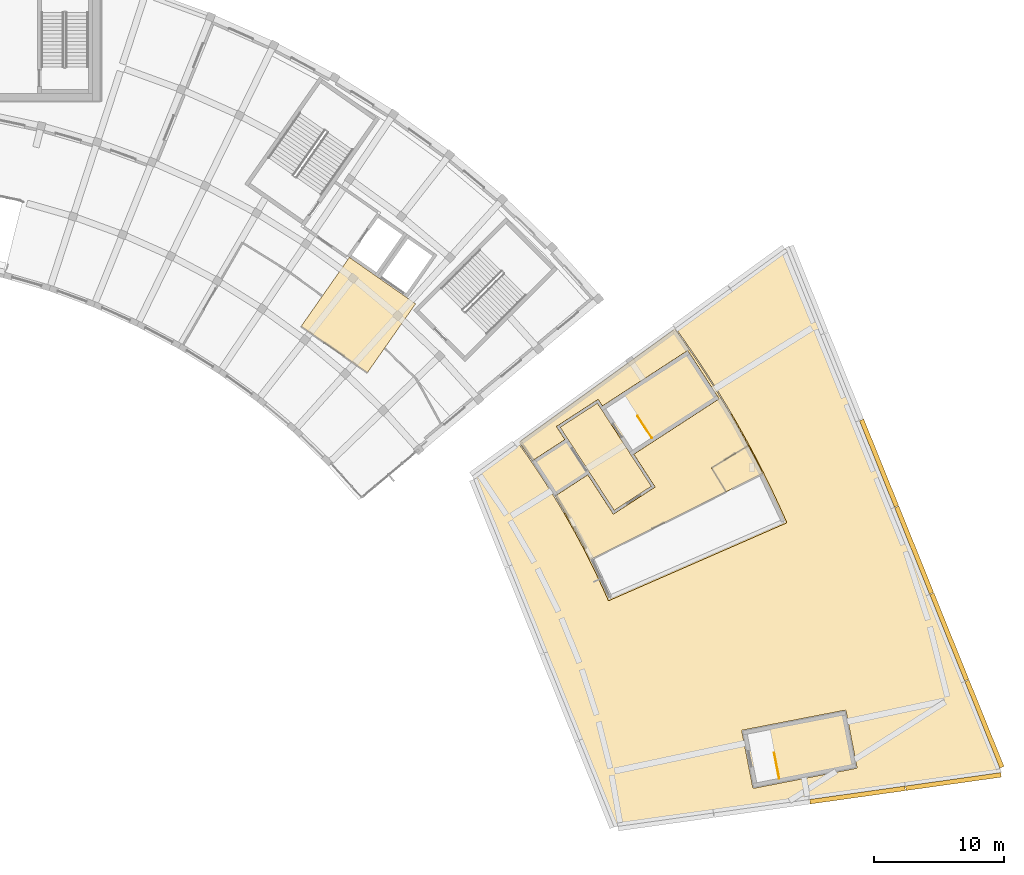
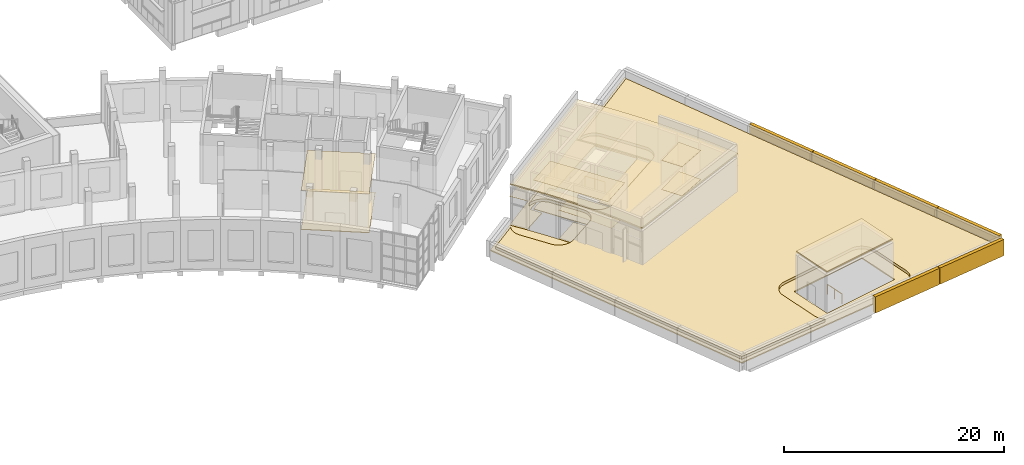
# One storey, part 126 of 132: 18 coverings, 2 railings.
"""IFC4 building model written with IfcOpenShell, lengths in metres."""

from ifc_helpers import new_model, si_unit, direction, frame, origin, origin_2d, place, context, subcontext, project, spatial, polyline, rectangle, circle, outline, extrude, material, layer, layer_set, type_object, element, save


model = new_model("IFC4")

# Units and contexts
model_context = context("Model", 3, precision=1e-05, world=origin(), true_north=direction((0.0, 1.0)))
body_context = subcontext(model_context, "Body", "Model", "MODEL_VIEW")
ifc_project = project(units=[si_unit("LENGTHUNIT", "METRE"), si_unit("AREAUNIT", "SQUARE_METRE"), si_unit("VOLUMEUNIT", "CUBIC_METRE"), si_unit("PLANEANGLEUNIT", "RADIAN"), si_unit("MASSUNIT", "GRAM", prefix="KILO")], contexts=[model_context])

# Site, building, storey
site_placement = place(None, origin())
site = spatial("IfcSite", under=ifc_project, at=site_placement, CompositionType="ELEMENT")
building_placement = place(site_placement, origin())
building = spatial("IfcBuilding", under=site, at=building_placement, Name="Lunette Opera House", CompositionType="ELEMENT")
storey_placement = place(building_placement, frame((0.0, 0.0, 17.0)))
storey = spatial("IfcBuildingStorey", under=building, at=storey_placement, Name="L03", CompositionType="ELEMENT", Elevation=17.0)

# Coverings
ifc_material_1 = material(Name="Bitumen membrane on mineral wool")
ifc_layer_1 = layer(ifc_material_1, 0.1201171875)
ifc_layer_set_1 = layer_set([ifc_layer_1], Name="Bitumen membrane on mineral wool")
covering_type_1 = type_object("IfcCoveringType", Name="FLAT ROOF MEMBRANE 120", PredefinedType="ROOFING", material=ifc_layer_set_1)
covering_1_placement = place(storey_placement, origin())
element("IfcCovering", 1, at=covering_1_placement, inside=storey, type_object=covering_type_1, Name="Flat roof membrane SB L02 11", PredefinedType="ROOFING", context=body_context, shape_type="SweptSolid", body=[
    extrude(outline(polyline([(148.072998046875, 37.77099609375), (148.718017578125, 36.867919921875), (149.3740234375, 35.910888671875), (150.012939453125, 34.94189453125), (150.635009765625, 33.962890625), (151.238037109375, 32.971923828125), (151.822998046875, 31.969970703125), (152.39111328125, 30.9580078125), (152.93994140625, 29.93603515625), (153.469970703125, 28.905029296875), (153.98291015625, 27.864013671875), (154.47509765625, 26.81396484375), (154.949951171875, 25.7529296875), (154.950927734375, 25.7509765625), (154.951904296875, 25.7490234375), (154.9541015625, 25.7451171875), (154.9560546875, 25.743896484375), (154.9580078125, 25.739990234375), (154.9599609375, 25.738037109375), (154.962890625, 25.73388671875), (154.964111328125, 25.73291015625), (154.968017578125, 25.72998046875), (154.968994140625, 25.72802734375), (154.972900390625, 25.72509765625), (154.97509765625, 25.72412109375), (154.97900390625, 25.721923828125), (154.97998046875, 25.720947265625), (154.985107421875, 25.718017578125), (154.987060546875, 25.718017578125), (154.990966796875, 25.716064453125), (154.992919921875, 25.715087890625), (154.998046875, 25.714111328125), (155.0, 25.714111328125), (155.00390625, 25.712890625), (155.006103515625, 25.7119140625), (155.010986328125, 25.7119140625), (155.012939453125, 25.7119140625), (155.01806640625, 25.7119140625), (155.02001953125, 25.7119140625), (155.02490234375, 25.712890625), (155.027099609375, 25.712890625), (155.031005859375, 25.714111328125), (155.032958984375, 25.715087890625), (155.0380859375, 25.716064453125), (155.0400390625, 25.717041015625), (155.0419921875, 25.718017578125), (168.60400390625, 31.64404296875), (168.60595703125, 31.64501953125), (168.60791015625, 31.64599609375), (168.612060546875, 31.64794921875), (168.614013671875, 31.64892578125), (168.617919921875, 31.652099609375), (168.6201171875, 31.653076171875), (168.623046875, 31.656005859375), (168.625, 31.657958984375), (168.6279296875, 31.660888671875), (168.6298828125, 31.6630859375), (168.633056640625, 31.6669921875), (168.634033203125, 31.66796875), (168.635986328125, 31.673095703125), (168.636962890625, 31.674072265625), (168.639892578125, 31.678955078125), (168.639892578125, 31.679931640625), (168.64208984375, 31.68505859375), (168.64306640625, 31.68701171875), (168.64404296875, 31.69189453125), (168.64404296875, 31.694091796875), (168.64501953125, 31.698974609375), (168.64599609375, 31.699951171875), (168.64599609375, 31.705078125), (168.64599609375, 31.70703125), (168.64599609375, 31.7119140625), (168.64599609375, 31.714111328125), (168.64501953125, 31.718994140625), (168.64501953125, 31.720947265625), (168.64404296875, 31.72607421875), (168.64306640625, 31.72802734375), (168.64208984375, 31.73291015625), (168.64111328125, 31.73388671875), (168.639892578125, 31.737060546875), (168.055908203125, 33.0400390625), (168.055908203125, 33.0400390625), (168.055908203125, 33.0400390625), (168.054931640625, 33.041015625), (167.447998046875, 34.333984375), (167.447998046875, 34.333984375), (167.447998046875, 34.333984375), (167.447998046875, 34.3349609375), (166.818115234375, 35.616943359375), (166.818115234375, 35.616943359375), (166.81689453125, 35.617919921875), (166.81689453125, 35.617919921875), (166.1640625, 36.887939453125), (166.1640625, 36.887939453125), (166.1640625, 36.888916015625), (166.1640625, 36.888916015625), (165.488037109375, 38.14794921875), (165.487060546875, 38.14892578125), (165.487060546875, 38.14892578125), (165.487060546875, 38.14892578125), (164.7880859375, 39.39404296875), (164.7880859375, 39.39501953125), (164.7880859375, 39.39501953125), (164.787109375, 39.39501953125), (164.06591796875, 40.6279296875), (164.06591796875, 40.62890625), (164.06591796875, 40.62890625), (164.06591796875, 40.62890625), (163.322998046875, 41.84912109375), (163.322998046875, 41.85009765625), (163.322021484375, 41.85009765625), (163.322021484375, 41.85009765625), (162.556884765625, 43.055908203125), (162.556884765625, 43.056884765625), (162.556884765625, 43.056884765625), (162.555908203125, 43.05810546875), (161.76904296875, 44.2509765625), (161.76904296875, 44.2509765625), (161.76904296875, 44.2509765625), (161.76904296875, 44.251953125), (160.9609375, 45.429931640625), (160.9599609375, 45.429931640625), (160.9599609375, 45.429931640625), (160.9599609375, 45.430908203125), (160.159912109375, 46.552978515625), (168.7900390625, 52.822998046875), (185.053955078125, 12.56689453125), (155.447998046875, 8.405029296875), (144.60205078125, 35.25), (148.072998046875, 37.77099609375)]), holes=[polyline([(173.197998046875, 17.24609375), (173.197021484375, 17.2490234375), (173.197021484375, 17.2509765625), (173.195068359375, 17.2548828125), (173.195068359375, 17.257080078125), (173.193115234375, 17.261962890625), (173.19189453125, 17.263916015625), (173.18994140625, 17.26806640625), (173.18896484375, 17.27001953125), (173.18603515625, 17.27392578125), (173.18505859375, 17.27490234375), (173.181884765625, 17.279052734375), (173.179931640625, 17.280029296875), (173.177001953125, 17.283935546875), (173.175048828125, 17.284912109375), (173.172119140625, 17.2880859375), (173.169921875, 17.2900390625), (173.166015625, 17.2919921875), (173.1640625, 17.29296875), (173.159912109375, 17.2958984375), (173.157958984375, 17.297119140625), (173.154052734375, 17.298095703125), (173.152099609375, 17.299072265625), (173.14697265625, 17.301025390625), (173.14501953125, 17.301025390625), (173.14111328125, 17.302001953125), (173.138916015625, 17.302001953125), (173.134033203125, 17.302978515625), (173.132080078125, 17.302978515625), (173.126953125, 17.302978515625), (173.125, 17.302978515625), (173.1201171875, 17.302001953125), (173.117919921875, 17.302001953125), (173.115966796875, 17.302001953125), (165.262939453125, 15.77587890625), (165.260009765625, 15.77490234375), (165.258056640625, 15.77490234375), (165.25390625, 15.77294921875), (165.251953125, 15.77294921875), (165.2470703125, 15.77099609375), (165.2451171875, 15.77001953125), (165.240966796875, 15.76806640625), (165.239013671875, 15.76708984375), (165.235107421875, 15.763916015625), (165.23388671875, 15.762939453125), (165.22998046875, 15.760009765625), (165.22900390625, 15.758056640625), (165.22509765625, 15.7548828125), (165.22412109375, 15.7529296875), (165.220947265625, 15.75), (165.218994140625, 15.748046875), (165.217041015625, 15.743896484375), (165.216064453125, 15.741943359375), (165.212890625, 15.738037109375), (165.2119140625, 15.736083984375), (165.2109375, 15.73193359375), (165.2099609375, 15.72998046875), (165.2080078125, 15.72509765625), (165.2080078125, 15.722900390625), (165.20703125, 15.718994140625), (165.20703125, 15.717041015625), (165.2060546875, 15.7119140625), (165.2060546875, 15.7099609375), (165.2060546875, 15.705078125), (165.2060546875, 15.702880859375), (165.20703125, 15.697998046875), (165.20703125, 15.696044921875), (165.20703125, 15.694091796875), (166.0458984375, 11.375), (166.047119140625, 11.3720703125), (166.047119140625, 11.3701171875), (166.049072265625, 11.365966796875), (166.049072265625, 11.364013671875), (166.051025390625, 11.35888671875), (166.052001953125, 11.35693359375), (166.053955078125, 11.35302734375), (166.054931640625, 11.35107421875), (166.05810546875, 11.346923828125), (166.05908203125, 11.345947265625), (166.06201171875, 11.342041015625), (166.06396484375, 11.341064453125), (166.06689453125, 11.3369140625), (166.069091796875, 11.3359375), (166.072021484375, 11.3330078125), (166.073974609375, 11.3310546875), (166.077880859375, 11.3291015625), (166.080078125, 11.327880859375), (166.083984375, 11.324951171875), (166.0859375, 11.323974609375), (166.090087890625, 11.322998046875), (166.092041015625, 11.322021484375), (166.096923828125, 11.320068359375), (166.09912109375, 11.320068359375), (166.10302734375, 11.319091796875), (166.10498046875, 11.319091796875), (166.110107421875, 11.318115234375), (166.112060546875, 11.318115234375), (166.116943359375, 11.318115234375), (166.118896484375, 11.318115234375), (166.1240234375, 11.319091796875), (166.1259765625, 11.319091796875), (166.1279296875, 11.319091796875), (173.98095703125, 12.844970703125), (173.98388671875, 12.845947265625), (173.986083984375, 12.845947265625), (173.989990234375, 12.847900390625), (173.991943359375, 12.847900390625), (173.9970703125, 12.85009765625), (173.9990234375, 12.85107421875), (174.0029296875, 12.85302734375), (174.0048828125, 12.85400390625), (174.009033203125, 12.85693359375), (174.010009765625, 12.85791015625), (174.013916015625, 12.861083984375), (174.014892578125, 12.863037109375), (174.01904296875, 12.865966796875), (174.02001953125, 12.867919921875), (174.02294921875, 12.87109375), (174.02490234375, 12.873046875), (174.027099609375, 12.876953125), (174.028076171875, 12.87890625), (174.031005859375, 12.883056640625), (174.031982421875, 12.885009765625), (174.032958984375, 12.888916015625), (174.033935546875, 12.89111328125), (174.035888671875, 12.89599609375), (174.035888671875, 12.89794921875), (174.037109375, 12.902099609375), (174.037109375, 12.904052734375), (174.0380859375, 12.908935546875), (174.0380859375, 12.910888671875), (174.0380859375, 12.916015625), (174.0380859375, 12.91796875), (174.037109375, 12.923095703125), (174.037109375, 12.925048828125), (174.037109375, 12.927001953125), (173.197998046875, 17.24609375)])]), origin(), (0.0, 0.0, 1.0), 0.1201171875),
])
covering_2_placement = place(storey_placement, frame((0.0, 0.0, 4.5)))
element("IfcCovering", 2, at=covering_2_placement, inside=storey, type_object=covering_type_1, Name="Flat roof membrane pavilion", PredefinedType="ROOFING", context=body_context, shape_type="SweptSolid", body=[
    extrude(outline(polyline([(173.089111328125, 17.174072265625), (173.908935546875, 12.9541015625), (166.155029296875, 11.447021484375), (165.3349609375, 15.6669921875), (173.089111328125, 17.174072265625)])), origin(), (0.0, 0.0, 1.0), 0.1201171875),
])
covering_3_placement = place(storey_placement, frame((0.0, 0.0, 4.5)))
element("IfcCovering", 3, at=covering_3_placement, inside=storey, type_object=covering_type_1, Name="Flat roof membrane pavilion 2", PredefinedType="ROOFING", context=body_context, shape_type="SweptSolid", body=[
    extrude(outline(polyline([(160.862060546875, 45.361083984375), (161.669921875, 44.18408203125), (162.4560546875, 42.991943359375), (163.220947265625, 41.787109375), (163.962890625, 40.56689453125), (164.68408203125, 39.3349609375), (165.382080078125, 38.091064453125), (166.05810546875, 36.8330078125), (166.7099609375, 35.56396484375), (167.340087890625, 34.281982421875), (167.947021484375, 32.989990234375), (168.510009765625, 31.73388671875), (155.0390625, 25.847900390625), (154.5849609375, 26.863037109375), (154.583984375, 26.864013671875), (154.091064453125, 27.9150390625), (154.091064453125, 27.916015625), (153.577880859375, 28.9580078125), (153.576904296875, 28.958984375), (153.0458984375, 29.991943359375), (153.0458984375, 29.992919921875), (152.49609375, 31.01611328125), (152.49609375, 31.01611328125), (151.927978515625, 32.029052734375), (151.927001953125, 32.030029296875), (151.341064453125, 33.032958984375), (151.341064453125, 33.033935546875), (150.737060546875, 34.02587890625), (150.736083984375, 34.027099609375), (150.114013671875, 35.007080078125), (150.114013671875, 35.008056640625), (149.47412109375, 35.97802734375), (149.472900390625, 35.97802734375), (148.81591796875, 36.93603515625), (148.81591796875, 36.93701171875), (148.169921875, 37.842041015625), (160.06298828125, 46.48291015625), (160.862060546875, 45.361083984375)])), origin(), (0.0, 0.0, 1.0), 0.1201171875),
])
ifc_material_2 = material(Name="Planted substrate")
ifc_layer_2 = layer(ifc_material_2, 0.300048828125)
ifc_layer_set_2 = layer_set([ifc_layer_2], Name="Planted substrate")
covering_type_2 = type_object("IfcCoveringType", Name="PLANTED SUBSTRATE 300", PredefinedType="FLOORING", material=ifc_layer_set_2)
covering_4_placement = place(storey_placement, frame((0.0, 0.0, 0.1201171875)))
element("IfcCovering", 4, at=covering_4_placement, inside=storey, type_object=covering_type_2, Name="Planted substrate 1", PredefinedType="FLOORING", context=body_context, shape_type="SweptSolid", body=[
    extrude(outline(polyline([(184.490966796875, 12.89111328125), (174.35791015625, 11.467041015625), (174.39697265625, 11.47705078125), (174.535888671875, 11.52587890625), (174.6689453125, 11.587890625), (174.7958984375, 11.6630859375), (174.9140625, 11.75), (175.02392578125, 11.84912109375), (175.123046875, 11.95703125), (175.2109375, 12.074951171875), (175.2880859375, 12.200927734375), (175.35107421875, 12.333984375), (175.40087890625, 12.471923828125), (175.43798828125, 12.614990234375), (175.4599609375, 12.760009765625), (175.468017578125, 12.906982421875), (175.4609375, 13.053955078125), (175.43994140625, 13.199951171875), (174.60107421875, 17.51904296875), (174.56591796875, 17.662109375), (174.51708984375, 17.801025390625), (174.455078125, 17.93408203125), (174.3798828125, 18.06103515625), (174.29296875, 18.178955078125), (174.194091796875, 18.2890625), (174.0859375, 18.387939453125), (173.968017578125, 18.47607421875), (173.842041015625, 18.552978515625), (173.708984375, 18.615966796875), (173.571044921875, 18.666015625), (173.427978515625, 18.702880859375), (173.282958984375, 18.72509765625), (173.135986328125, 18.73291015625), (172.989013671875, 18.72607421875), (172.843017578125, 18.705078125), (164.989990234375, 17.178955078125), (164.846923828125, 17.14404296875), (164.7080078125, 17.094970703125), (164.574951171875, 17.032958984375), (164.447998046875, 16.9580078125), (164.330078125, 16.87109375), (164.219970703125, 16.77197265625), (164.12109375, 16.6640625), (164.032958984375, 16.5458984375), (163.9560546875, 16.419921875), (163.89306640625, 16.287109375), (163.843017578125, 16.14892578125), (163.805908203125, 16.006103515625), (163.783935546875, 15.861083984375), (163.77587890625, 15.714111328125), (163.782958984375, 15.56689453125), (163.803955078125, 15.4208984375), (164.64306640625, 11.10205078125), (164.677978515625, 10.958984375), (164.72705078125, 10.820068359375), (164.7890625, 10.68701171875), (164.864013671875, 10.56005859375), (164.950927734375, 10.44189453125), (165.050048828125, 10.33203125), (165.157958984375, 10.23291015625), (165.22412109375, 10.18310546875), (155.701904296875, 8.844970703125), (145.090087890625, 35.110107421875), (147.7919921875, 37.072998046875), (147.760986328125, 37.009033203125), (147.708984375, 36.87109375), (147.672119140625, 36.72900390625), (147.64794921875, 36.583984375), (147.638916015625, 36.43701171875), (147.64404296875, 36.2900390625), (147.6640625, 36.14404296875), (147.697998046875, 36.0), (147.74609375, 35.861083984375), (147.806884765625, 35.72705078125), (147.881103515625, 35.60009765625), (149.6240234375, 32.916015625), (149.7099609375, 32.797119140625), (149.80810546875, 32.68603515625), (149.9150390625, 32.5859375), (150.031982421875, 32.4970703125), (150.157958984375, 32.4189453125), (150.2900390625, 32.35498046875), (150.427978515625, 32.302978515625), (150.570068359375, 32.26611328125), (150.715087890625, 32.241943359375), (150.862060546875, 32.23291015625), (151.009033203125, 32.238037109375), (151.155029296875, 32.258056640625), (151.299072265625, 32.2919921875), (151.43798828125, 32.340087890625), (151.572021484375, 32.40087890625), (151.698974609375, 32.47509765625), (154.383056640625, 34.218017578125), (154.501953125, 34.303955078125), (154.613037109375, 34.402099609375), (154.712890625, 34.509033203125), (154.802001953125, 34.6259765625), (154.8798828125, 34.751953125), (154.944091796875, 34.884033203125), (154.99609375, 35.02197265625), (155.032958984375, 35.1640625), (155.056884765625, 35.31005859375), (155.06591796875, 35.45703125), (155.06103515625, 35.60400390625), (155.041015625, 35.75), (155.007080078125, 35.89306640625), (154.958984375, 36.031982421875), (154.89794921875, 36.166015625), (154.823974609375, 36.29296875), (153.0810546875, 38.97607421875), (152.9951171875, 39.094970703125), (152.89697265625, 39.2060546875), (152.7900390625, 39.305908203125), (152.673095703125, 39.39501953125), (152.547119140625, 39.472900390625), (152.4150390625, 39.537109375), (152.277099609375, 39.589111328125), (152.135009765625, 39.6259765625), (151.989990234375, 39.64990234375), (151.843017578125, 39.658935546875), (151.696044921875, 39.654052734375), (151.550048828125, 39.634033203125), (151.406982421875, 39.60009765625), (151.26708984375, 39.552001953125), (151.134033203125, 39.490966796875), (151.069091796875, 39.4541015625), (152.868896484375, 40.761962890625), (152.85595703125, 40.679931640625), (152.846923828125, 40.532958984375), (152.85205078125, 40.385986328125), (152.8720703125, 40.239990234375), (152.906005859375, 40.096923828125), (152.9541015625, 39.9580078125), (153.014892578125, 39.823974609375), (153.089111328125, 39.697021484375), (155.486083984375, 36.007080078125), (155.572021484375, 35.887939453125), (155.669921875, 35.777099609375), (155.777099609375, 35.677001953125), (155.89501953125, 35.587890625), (156.02001953125, 35.510009765625), (156.152099609375, 35.446044921875), (156.2900390625, 35.39404296875), (156.431884765625, 35.35693359375), (156.577880859375, 35.3330078125), (156.72412109375, 35.323974609375), (156.8720703125, 35.3291015625), (157.01708984375, 35.34912109375), (157.160888671875, 35.383056640625), (157.300048828125, 35.430908203125), (157.43408203125, 35.491943359375), (157.56103515625, 35.56591796875), (164.27001953125, 39.923095703125), (164.388916015625, 40.009033203125), (164.5, 40.10693359375), (164.60009765625, 40.214111328125), (164.68896484375, 40.3310546875), (164.76611328125, 40.45703125), (164.8310546875, 40.589111328125), (164.883056640625, 40.72705078125), (164.919921875, 40.868896484375), (164.944091796875, 41.013916015625), (164.952880859375, 41.160888671875), (164.947998046875, 41.30810546875), (164.927978515625, 41.4541015625), (164.89404296875, 41.596923828125), (164.845947265625, 41.737060546875), (164.784912109375, 41.8701171875), (164.7109375, 41.998046875), (162.31494140625, 45.68896484375), (162.22900390625, 45.80810546875), (162.132080078125, 45.9189453125), (162.02392578125, 46.01904296875), (161.906982421875, 46.10791015625), (161.781005859375, 46.18505859375), (161.64892578125, 46.25), (161.510986328125, 46.302001953125), (161.368896484375, 46.339111328125), (161.22412109375, 46.363037109375), (161.076904296875, 46.3720703125), (160.929931640625, 46.366943359375), (160.783935546875, 46.346923828125), (160.639892578125, 46.31298828125), (160.5009765625, 46.264892578125), (160.366943359375, 46.2041015625), (160.3310546875, 46.18310546875), (168.611083984375, 52.197998046875), (184.490966796875, 12.89111328125)])), origin(), (0.0, 0.0, 1.0), 0.2998046875),
])

# Railings
ifc_material_3 = material(Name="Steel S355", Category="steel")
railing_type = type_object("IfcRailingType", Name="STAIR GUARD 1100", PredefinedType="GUARDRAIL", material=ifc_material_3)
railing_1_placement = place(storey_placement, frame((158.299560546875, 38.19189453125, 0.0)))
element("IfcRailing", 5, at=railing_1_placement, inside=storey, type_object=railing_type, Name="L03 ST21 top well guard 1", PredefinedType="GUARDRAIL", context=body_context, shape_type="SweptSolid", body=[
    extrude(circle(Radius=0.02392578125, at=origin_2d()), frame((0.0, 0.0, 1.076171875), z_axis=(-0.544718048972, 0.83861925039, 0.0), x_axis=(-0.83861925039, -0.544718048972, 0.0)), (0.0, 0.0, 1.0), 2.000244140625),
    extrude(circle(Radius=0.02099609375, at=origin_2d()), origin(), (0.0, 0.0, 1.0), 1.052001953125),
    extrude(circle(Radius=0.02099609375, at=origin_2d()), frame((-0.544921875, 0.8388671875, 0.0)), (0.0, 0.0, 1.0), 1.052001953125),
    extrude(circle(Radius=0.02099609375, at=origin_2d()), frame((-1.089599609375, 1.677490234375, 0.0)), (0.0, 0.0, 1.0), 1.052001953125),
])
railing_2_placement = place(storey_placement, frame((168.070068359375, 12.073486328125, 0.0)))
element("IfcRailing", 6, at=railing_2_placement, inside=storey, type_object=railing_type, Name="L03 ST22 top well guard 1", PredefinedType="GUARDRAIL", context=body_context, shape_type="SweptSolid", body=[
    extrude(circle(Radius=0.02392578125, at=origin_2d()), frame((0.0, 0.0, 1.076171875), z_axis=(-0.190689938698, 0.981650318229, 0.0), x_axis=(-0.981650318229, -0.190689938698, 0.0)), (0.0, 0.0, 1.0), 1.999755859375),
    extrude(circle(Radius=0.02099609375, at=origin_2d()), origin(), (0.0, 0.0, 1.0), 1.052001953125),
    extrude(circle(Radius=0.02099609375, at=origin_2d()), frame((-0.190673828125, 0.9814453125, 0.0)), (0.0, 0.0, 1.0), 1.052001953125),
    extrude(circle(Radius=0.02099609375, at=origin_2d()), frame((-0.38134765625, 1.963134765625, 0.0)), (0.0, 0.0, 1.0), 1.052001953125),
])

# Coverings
ifc_material_4 = material(Name="Mineral fibre board")
ifc_layer_3 = layer(ifc_material_4, 0.014892578125)
ifc_layer_set_3 = layer_set([ifc_layer_3], Name="Mineral fibre board")
covering_type_3 = type_object("IfcCoveringType", Name="SUSPENDED ACOUSTIC CEILING 15", PredefinedType="CEILING", material=ifc_layer_set_3)
covering_5_placement = place(storey_placement, frame((0.0, 0.0, 4.31494140625)))
element("IfcCovering", 7, at=covering_5_placement, inside=storey, type_object=covering_type_3, Name="Ceiling Open Lift Lobby L03 East", PredefinedType="CEILING", context=body_context, shape_type="SweptSolid", body=[
    extrude(outline(polyline([(131.4140625, 46.739990234375), (136.491943359375, 43.18408203125), (140.19189453125, 48.468017578125), (135.113037109375, 52.02392578125), (131.4140625, 46.739990234375)])), origin(), (0.0, 0.0, 1.0), 0.01513671875),
])
covering_6_placement = place(storey_placement, frame((0.0, 0.0, 3.235107421875)))
element("IfcCovering", 8, at=covering_6_placement, inside=storey, type_object=covering_type_3, Name="Ceiling Lift Lobby L03 Studio", PredefinedType="CEILING", context=body_context, shape_type="SweptSolid", body=[
    extrude(outline(polyline([(151.278076171875, 38.998046875), (155.4169921875, 32.6240234375), (158.26904296875, 34.47607421875), (154.1298828125, 40.85009765625), (151.278076171875, 38.998046875)])), origin(), (0.0, 0.0, 1.0), 0.014892578125),
])
covering_7_placement = place(storey_placement, frame((0.0, 0.0, 3.235107421875)))
element("IfcCovering", 9, at=covering_7_placement, inside=storey, type_object=covering_type_3, Name="Ceiling Studio Garden Foyer", PredefinedType="CEILING", context=body_context, shape_type="SweptSolid", body=[
    extrude(outline(polyline([(149.18310546875, 36.3310546875), (148.782958984375, 36.9140625), (148.114990234375, 37.85107421875), (160.072021484375, 46.5390625), (160.89501953125, 45.384033203125), (161.702880859375, 44.2060546875), (162.489990234375, 43.013916015625), (163.2548828125, 41.80810546875), (163.9970703125, 40.587890625), (164.718017578125, 39.35498046875), (165.4169921875, 38.110107421875), (165.694091796875, 37.595947265625), (162.876953125, 35.884033203125), (163.989990234375, 34.053955078125), (153.589111328125, 28.844970703125), (153.5419921875, 28.93994140625), (153.010986328125, 29.97412109375), (152.4609375, 30.9970703125), (151.89306640625, 32.010009765625), (151.306884765625, 33.012939453125), (150.8359375, 33.784912109375), (150.87890625, 33.718994140625), (153.39501953125, 35.35302734375), (155.35498046875, 32.3330078125), (158.56005859375, 34.4140625), (156.926025390625, 36.929931640625), (163.467041015625, 41.177978515625), (161.06005859375, 44.885986328125), (154.51904296875, 40.636962890625), (154.19189453125, 41.14111328125), (150.987060546875, 39.06005859375), (151.64111328125, 38.052978515625), (149.125, 36.419921875), (149.18310546875, 36.3310546875)])), origin(), (0.0, 0.0, 1.0), 0.014892578125),
])
covering_8_placement = place(storey_placement, frame((0.0, 0.0, 3.235107421875)))
element("IfcCovering", 10, at=covering_8_placement, inside=storey, type_object=covering_type_3, Name="Ceiling Accessible WC L03 Studio", PredefinedType="CEILING", context=body_context, shape_type="SweptSolid", body=[
    extrude(outline(polyline([(166.10205078125, 36.85595703125), (166.7548828125, 35.5859375), (166.818115234375, 35.458984375), (164.00390625, 34.050048828125), (162.89111328125, 35.881103515625), (165.70703125, 37.592041015625), (166.10205078125, 36.85595703125)])), origin(), (0.0, 0.0, 1.0), 0.014892578125),
])
ifc_material_5 = material(Name="Terrazzo")
ifc_layer_4 = layer(ifc_material_5, 0.06005859375)
ifc_layer_set_4 = layer_set([ifc_layer_4], Name="Terrazzo")
covering_type_4 = type_object("IfcCoveringType", Name="TERRAZZO FLOOR FINISH 60", PredefinedType="FLOORING", material=ifc_layer_set_4)
covering_9_placement = place(storey_placement, origin())
element("IfcCovering", 11, at=covering_9_placement, inside=storey, type_object=covering_type_4, Name="Floor finish Open Lift Lobby L03 East", PredefinedType="FLOORING", context=body_context, shape_type="SweptSolid", body=[
    extrude(outline(polyline([(131.4140625, 46.739990234375), (136.491943359375, 43.18408203125), (140.19189453125, 48.468017578125), (135.113037109375, 52.02392578125), (131.4140625, 46.739990234375)])), origin(), (0.0, 0.0, 1.0), 0.06005859375),
])
covering_10_placement = place(storey_placement, origin())
element("IfcCovering", 12, at=covering_10_placement, inside=storey, type_object=covering_type_4, Name="Floor finish Lift Lobby L03 Studio", PredefinedType="FLOORING", context=body_context, shape_type="SweptSolid", body=[
    extrude(outline(polyline([(151.278076171875, 38.998046875), (155.4169921875, 32.6240234375), (158.26904296875, 34.47607421875), (154.1298828125, 40.85009765625), (151.278076171875, 38.998046875)])), origin(), (0.0, 0.0, 1.0), 0.06005859375),
])
covering_11_placement = place(storey_placement, origin())
element("IfcCovering", 13, at=covering_11_placement, inside=storey, type_object=covering_type_4, Name="Floor finish Studio Garden Foyer", PredefinedType="FLOORING", context=body_context, shape_type="SweptSolid", body=[
    extrude(outline(polyline([(149.18310546875, 36.3310546875), (148.782958984375, 36.9140625), (148.114990234375, 37.85107421875), (160.072021484375, 46.5390625), (160.89501953125, 45.384033203125), (161.702880859375, 44.2060546875), (162.489990234375, 43.013916015625), (163.2548828125, 41.80810546875), (163.9970703125, 40.587890625), (164.718017578125, 39.35498046875), (165.4169921875, 38.110107421875), (165.694091796875, 37.595947265625), (162.876953125, 35.884033203125), (163.989990234375, 34.053955078125), (153.589111328125, 28.844970703125), (153.5419921875, 28.93994140625), (153.010986328125, 29.97412109375), (152.4609375, 30.9970703125), (151.89306640625, 32.010009765625), (151.306884765625, 33.012939453125), (150.8359375, 33.784912109375), (150.87890625, 33.718994140625), (153.39501953125, 35.35302734375), (155.35498046875, 32.3330078125), (158.56005859375, 34.4140625), (156.926025390625, 36.929931640625), (163.467041015625, 41.177978515625), (161.06005859375, 44.885986328125), (154.51904296875, 40.636962890625), (154.19189453125, 41.14111328125), (150.987060546875, 39.06005859375), (151.64111328125, 38.052978515625), (149.125, 36.419921875), (149.18310546875, 36.3310546875)])), origin(), (0.0, 0.0, 1.0), 0.06005859375),
])
ifc_material_6 = material(Name="Ceramic tile")
ifc_layer_5 = layer(ifc_material_6, 0.02490234375)
ifc_layer_set_5 = layer_set([ifc_layer_5], Name="Ceramic tile")
covering_type_5 = type_object("IfcCoveringType", Name="TILED FLOOR FINISH 25", PredefinedType="FLOORING", material=ifc_layer_set_5)
covering_12_placement = place(storey_placement, origin())
element("IfcCovering", 14, at=covering_12_placement, inside=storey, type_object=covering_type_5, Name="Floor finish Accessible WC L03 Studio", PredefinedType="FLOORING", context=body_context, shape_type="SweptSolid", body=[
    extrude(outline(polyline([(166.10205078125, 36.85595703125), (166.7548828125, 35.5859375), (166.818115234375, 35.458984375), (164.00390625, 34.050048828125), (162.89111328125, 35.881103515625), (165.70703125, 37.592041015625), (166.10205078125, 36.85595703125)])), origin(), (0.0, 0.0, 1.0), 0.02490234375),
])
ifc_material_7 = material(Name="Zinc standing seam cladding")
ifc_layer_6 = layer(ifc_material_7, 0.35009765625)
ifc_layer_set_6 = layer_set([ifc_layer_6], Name="Zinc standing seam cladding")
covering_type_6 = type_object("IfcCoveringType", Name="ZINC ROOF FASCIA 350", PredefinedType="CLADDING", material=ifc_layer_set_6)
covering_13_placement = place(storey_placement, frame((174.0810546875, 10.797119140625, -0.7001953125), z_axis=(0.0, 0.0, 1.0), x_axis=(0.99026758293, 0.139176557647, 0.0)))
element("IfcCovering", 15, at=covering_13_placement, inside=storey, type_object=covering_type_6, Name="Studio roof fascia", PredefinedType="CLADDING", context=body_context, shape_type="SweptSolid", body=[
    extrude(rectangle(XDim=7.3720703125, YDim=0.35009765625, at=origin_2d()), origin(), (0.0, 0.0, 1.0), 1.800048828125),
])
covering_14_placement = place(storey_placement, frame((181.431884765625, 11.830078125, -0.7001953125), z_axis=(0.0, 0.0, 1.0), x_axis=(0.990251544371, 0.13929062736, 0.0)))
element("IfcCovering", 16, at=covering_14_placement, inside=storey, type_object=covering_type_6, Name="Studio roof fascia", PredefinedType="CLADDING", context=body_context, shape_type="SweptSolid", body=[
    extrude(rectangle(XDim=7.373046875, YDim=0.35009765625, at=origin_2d()), origin(), (0.0, 0.0, 1.0), 1.800048828125),
])
for number, where, z_axis, x_axis, name in (
    (17, (183.81103515625, 16.243896484375, -0.7001953125), (0.0, 0.0, 1.0), (-0.374624393999, 0.927176662466, 0.0), "Studio roof fascia"),
    (18, (181.115966796875, 22.9140625, -0.7001953125), (0.0, 0.0, 1.0), (-0.374624393999, 0.927176662466, 0.0), "Studio roof fascia"),
):
    element("IfcCovering", number, at=place(storey_placement, frame(where, z_axis=z_axis, x_axis=x_axis)), inside=storey, type_object=covering_type_6, Name=name, PredefinedType="CLADDING", context=body_context, shape_type="SweptSolid", body=[
        extrude(rectangle(XDim=7.14404296875, YDim=0.35009765625, at=origin_2d()), origin(), (0.0, 0.0, 1.0), 1.800048828125),
    ])
covering_15_placement = place(storey_placement, frame((178.4208984375, 29.5830078125, -0.7001953125), z_axis=(0.0, 0.0, 1.0), x_axis=(-0.374553190838, 0.92720542882, 0.0)))
element("IfcCovering", 19, at=covering_15_placement, inside=storey, type_object=covering_type_6, Name="Studio roof fascia", PredefinedType="CLADDING", context=body_context, shape_type="SweptSolid", body=[
    extrude(rectangle(XDim=7.14306640625, YDim=0.35009765625, at=origin_2d()), origin(), (0.0, 0.0, 1.0), 1.800048828125),
])
covering_16_placement = place(storey_placement, frame((175.72705078125, 36.2529296875, -0.7001953125), z_axis=(0.0, 0.0, 1.0), x_axis=(-0.374624393999, 0.927176662466, 0.0)))
element("IfcCovering", 20, at=covering_16_placement, inside=storey, type_object=covering_type_6, Name="Studio roof fascia", PredefinedType="CLADDING", context=body_context, shape_type="SweptSolid", body=[
    extrude(rectangle(XDim=7.14404296875, YDim=0.35009765625, at=origin_2d()), origin(), (0.0, 0.0, 1.0), 1.800048828125),
])

save(model, "model.ifc")
